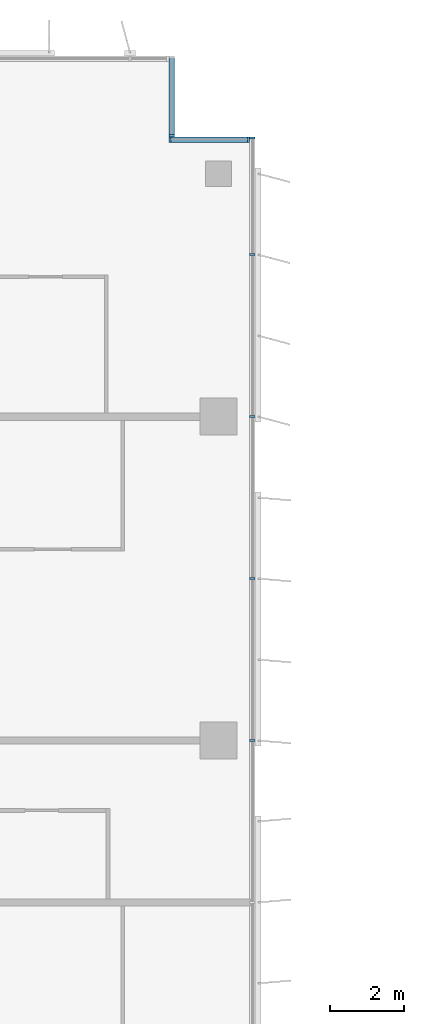
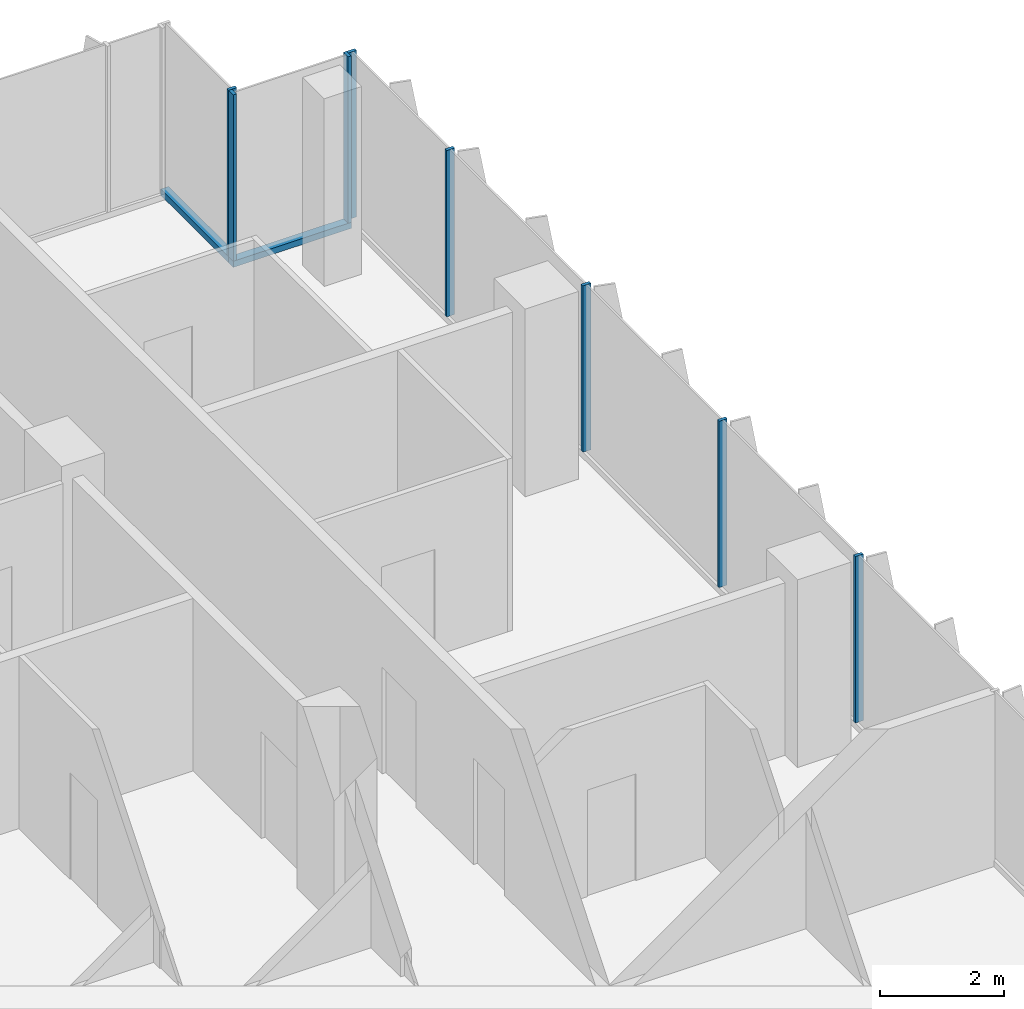
# One storey, part 7 of 21: 10 members, 3 elements without a shape of their own.
"""IFC4 building model written with IfcOpenShell, lengths in metres."""

from ifc_helpers import new_model, si_unit, direction, frame, origin, origin_2d, place, context, subcontext, project, spatial, rectangle, extrude, source, transform, mapped, material, material_profile, profile_set, type_object, element, aggregate, save


model = new_model("IFC4")

# Units and contexts
model_context = context("Model", 3, precision=1e-05, world=origin(), true_north=direction((0.0, 1.0)))
body_context = subcontext(model_context, "Body", "Model", "MODEL_VIEW")
ifc_project = project(units=[si_unit("LENGTHUNIT", "METRE"), si_unit("AREAUNIT", "SQUARE_METRE"), si_unit("VOLUMEUNIT", "CUBIC_METRE"), si_unit("PLANEANGLEUNIT", "RADIAN"), si_unit("MASSUNIT", "GRAM", prefix="KILO")], contexts=[model_context])

# Site, building, storey
site_placement = place(None, origin())
site = spatial("IfcSite", under=ifc_project, at=site_placement, CompositionType="ELEMENT")
building_placement = place(site_placement, origin())
building = spatial("IfcBuilding", under=site, at=building_placement, Name="Kemantara Hotel Tower", CompositionType="ELEMENT")
storey_placement = place(building_placement, frame((0.0, 0.0, 175.300048828125)))
storey = spatial("IfcBuildingStorey", under=building, at=storey_placement, Name="L43", CompositionType="ELEMENT", Elevation=175.300048828125)

# Curtain wall, member
ifc_material_1 = material(Name="Low-E tinted double insulated glass 36 mm", Category="glass")
curtain_wall_type = type_object("IfcCurtainWallType", Name="TOWER CURTAIN WALL, FRONT FACES", PredefinedType="USERDEFINED", material=ifc_material_1)
curtain_wall_1_placement = place(storey_placement, origin())
curtain_wall_1 = element("IfcCurtainWall", 1, at=curtain_wall_1_placement, inside=storey, type_object=curtain_wall_type, Name="CW4 L43 T3-R00-1", ObjectType="TOWER CURTAIN WALL, FRONT FACES", PredefinedType="USERDEFINED")
ifc_material_2 = material(Name="Aluminium 6063-T6 bronze anodised", Category="aluminium")
ifc_material_profile_1 = material_profile(ifc_material_2, rectangle(XDim=0.14990234375, YDim=0.1201171875, at=origin_2d()), Name="TOWER CURTAIN WALL, FRONT FACES TRANSOM")
ifc_profile_set_1 = profile_set([ifc_material_profile_1], Name="Aluminium 6063-T6 bronze anodised")
member_type_1 = type_object("IfcMemberType", Name="TOWER CURTAIN WALL, FRONT FACES TRANSOM", PredefinedType="USERDEFINED", material=ifc_profile_set_1)
member_1_placement = place(storey_placement, frame((21.85009765625, 61.324951171875, 0.06005859375), z_axis=(-1.0, 0.0, 0.0), x_axis=(0.0, -1.0, 0.0)))
member_1 = element("IfcMember", 2, at=member_1_placement, type_object=member_type_1, Name="CW4 sill transom T3-R00-1", ObjectType="TRANSOM", PredefinedType="USERDEFINED", context=body_context, shape_type="SweptSolid", body=[
    extrude(rectangle(XDim=0.14990234375, YDim=0.1201171875, at=origin_2d()), origin(), (0.0, 0.0, 1.0), 2.2001953125),
])

curtain_wall_2_placement = place(storey_placement, origin())
curtain_wall_2 = element("IfcCurtainWall", 3, at=curtain_wall_2_placement, inside=storey, type_object=curtain_wall_type, Name="CW4 L43 T3-R01-1", ObjectType="TOWER CURTAIN WALL, FRONT FACES", PredefinedType="USERDEFINED")
member_2_placement = place(storey_placement, frame((19.72509765625, 61.39990234375, 0.06005859375), z_axis=(0.0, 1.0, 0.0), x_axis=(-1.0, 0.0, 0.0)))
member_2 = element("IfcMember", 4, at=member_2_placement, type_object=member_type_1, Name="CW4 sill transom T3-R01-1", ObjectType="TRANSOM", PredefinedType="USERDEFINED", context=body_context, shape_type="SweptSolid", body=[
    extrude(rectangle(XDim=0.14990234375, YDim=0.1201171875, at=origin_2d()), origin(), (0.0, 0.0, 1.0), 2.2001953125),
])

# Curtain wall, members
curtain_wall_3_placement = place(storey_placement, origin())
curtain_wall_3 = element("IfcCurtainWall", 5, at=curtain_wall_3_placement, inside=storey, type_object=curtain_wall_type, Name="CW4 L43 T3-R17-1", ObjectType="TOWER CURTAIN WALL, FRONT FACES", PredefinedType="USERDEFINED")
ifc_material_profile_2 = material_profile(ifc_material_2, rectangle(XDim=0.14990234375, YDim=0.06005859375, at=origin_2d()), Name="TOWER CURTAIN WALL, FRONT FACES MULLION")
ifc_profile_set_2 = profile_set([ifc_material_profile_2], Name="Aluminium 6063-T6 bronze anodised")
member_type_2 = type_object("IfcMemberType", Name="TOWER CURTAIN WALL, FRONT FACES MULLION", PredefinedType="MULLION", material=ifc_profile_set_2)
shared_shape = source(origin(), body_context, "Body", "SweptSolid", [
    extrude(rectangle(XDim=0.14990234375, YDim=0.06005859375, at=origin_2d()), origin(), (0.0, 0.0, 1.0), 3.280029296875),
])
member_3_placement = place(storey_placement, frame((21.925048828125, 45.0, 0.119873046875), z_axis=(0.0, 0.0, 1.0), x_axis=(-1.0, 0.0, 0.0)))
member_3 = element("IfcMember", 6, at=member_3_placement, type_object=member_type_2, Name="CW4 mullion T3-R17-1.6", PredefinedType="MULLION", context=body_context, shape_type="MappedRepresentation", body=[
    mapped(shared_shape, transform((0.0, 0.0, 0.0))),
])
member_4_placement = place(storey_placement, frame((21.925048828125, 49.39990234375, 0.119873046875), z_axis=(0.0, 0.0, 1.0), x_axis=(-1.0, 0.0, 0.0)))
member_4 = element("IfcMember", 7, at=member_4_placement, type_object=member_type_2, Name="CW4 mullion T3-R17-1.7", PredefinedType="MULLION", context=body_context, shape_type="MappedRepresentation", body=[
    mapped(shared_shape, transform((0.0, 0.0, 0.0))),
])
member_5_placement = place(storey_placement, frame((21.925048828125, 53.800048828125, 0.119873046875), z_axis=(0.0, 0.0, 1.0), x_axis=(-1.0, 0.0, 0.0)))
member_5 = element("IfcMember", 8, at=member_5_placement, type_object=member_type_2, Name="CW4 mullion T3-R17-1.8", PredefinedType="MULLION", context=body_context, shape_type="MappedRepresentation", body=[
    mapped(shared_shape, transform((0.0, 0.0, 0.0))),
])
member_6_placement = place(storey_placement, frame((21.925048828125, 58.199951171875, 0.119873046875), z_axis=(0.0, 0.0, 1.0), x_axis=(-1.0, 0.0, 0.0)))
member_6 = element("IfcMember", 9, at=member_6_placement, type_object=member_type_2, Name="CW4 mullion T3-R17-1.9", PredefinedType="MULLION", context=body_context, shape_type="MappedRepresentation", body=[
    mapped(shared_shape, transform((0.0, 0.0, 0.0))),
])
member_7_placement = place(storey_placement, frame((21.925048828125, 61.3701171875, 0.119873046875), z_axis=(0.0, 0.0, 1.0), x_axis=(-1.0, 0.0, 0.0)))
member_7 = element("IfcMember", 10, at=member_7_placement, type_object=member_type_2, Name="CW4 mullion T3-R17-1.10", PredefinedType="MULLION", context=body_context, shape_type="MappedRepresentation", body=[
    mapped(shared_shape, transform((0.0, 0.0, 0.0))),
])
aggregate(curtain_wall_3, [member_3, member_4, member_5, member_6, member_7])

# Member
member_8_placement = place(storey_placement, frame((21.820068359375, 61.324951171875, 0.119873046875), z_axis=(0.0, 0.0, 1.0), x_axis=(0.0, -1.0, 0.0)))
member_8 = element("IfcMember", 11, at=member_8_placement, type_object=member_type_2, Name="CW4 mullion T3-R00-1.1", PredefinedType="MULLION", context=body_context, shape_type="MappedRepresentation", body=[
    mapped(shared_shape, transform((0.0, 0.0, 0.0))),
])

member_9_placement = place(storey_placement, frame((19.679931640625, 61.324951171875, 0.119873046875), z_axis=(0.0, 0.0, 1.0), x_axis=(0.0, -1.0, 0.0)))
member_9 = element("IfcMember", 12, at=member_9_placement, type_object=member_type_2, Name="CW4 mullion T3-R00-1.2", PredefinedType="MULLION", context=body_context, shape_type="MappedRepresentation", body=[
    mapped(shared_shape, transform((0.0, 0.0, 0.0))),
])

aggregate(curtain_wall_1, [member_1, member_8, member_9])

member_10_placement = place(storey_placement, frame((19.72509765625, 61.429931640625, 0.119873046875), z_axis=(0.0, 0.0, 1.0), x_axis=(-1.0, 0.0, 0.0)))
member_10 = element("IfcMember", 13, at=member_10_placement, type_object=member_type_2, Name="CW4 mullion T3-R01-1.1", PredefinedType="MULLION", context=body_context, shape_type="MappedRepresentation", body=[
    mapped(shared_shape, transform((0.0, 0.0, 0.0))),
])

aggregate(curtain_wall_2, [member_2, member_10])

save(model, "model.ifc")
